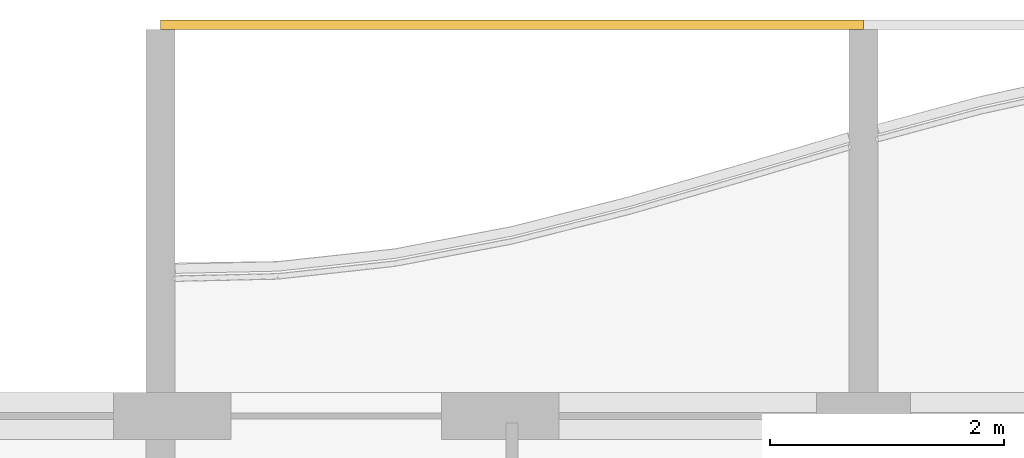
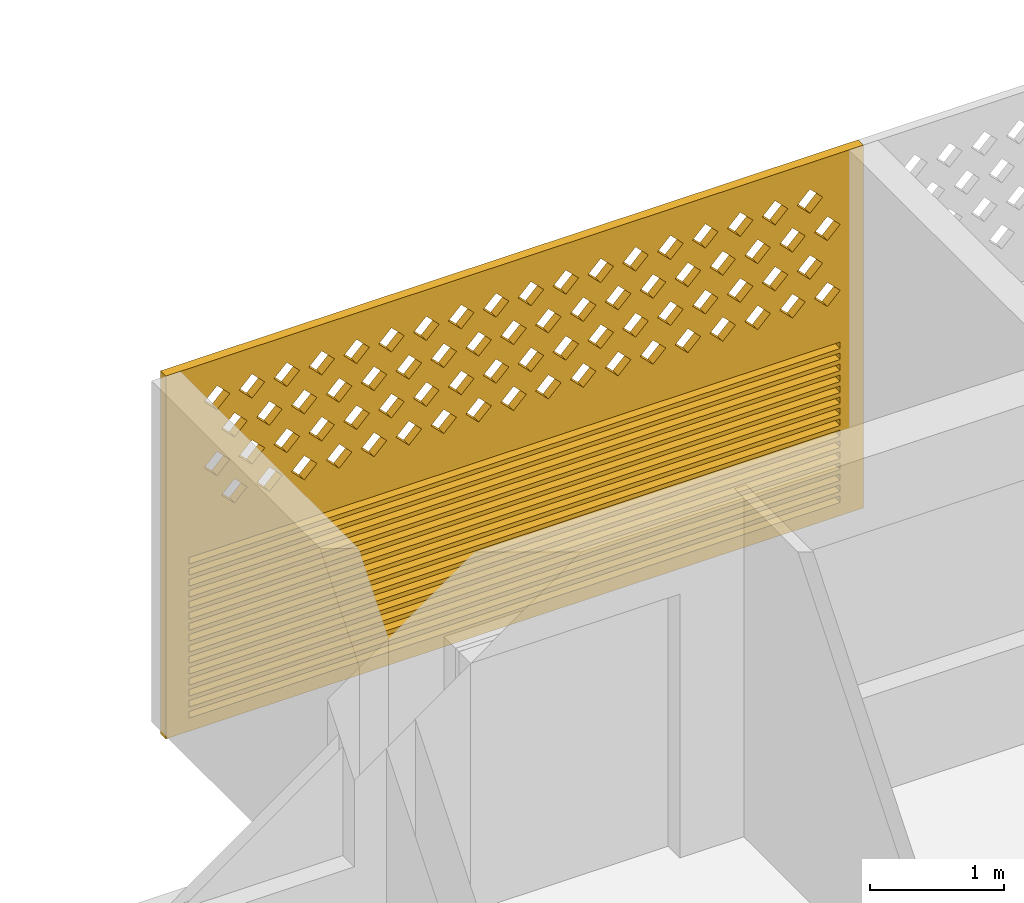
# One storey, part 16 of 26: 1 covering.
"""IFC4 building model written with IfcOpenShell, lengths in metres."""

from ifc_helpers import new_model, si_unit, direction, frame, origin, place, context, subcontext, project, spatial, polyline, outline, extrude, source, transform, mapped, material, material_profile, profile_set, type_object, element, save


model = new_model("IFC4")

# Units and contexts
model_context = context("Model", 3, precision=1e-05, world=origin(), true_north=direction((0.0, 1.0)))
body_context = subcontext(model_context, "Body", "Model", "MODEL_VIEW")
ifc_project = project(units=[si_unit("LENGTHUNIT", "METRE"), si_unit("AREAUNIT", "SQUARE_METRE"), si_unit("VOLUMEUNIT", "CUBIC_METRE"), si_unit("PLANEANGLEUNIT", "RADIAN"), si_unit("MASSUNIT", "GRAM", prefix="KILO")], contexts=[model_context])

# Site, building, storey
site_placement = place(None, origin())
site = spatial("IfcSite", under=ifc_project, at=site_placement, CompositionType="ELEMENT")
building_placement = place(site_placement, origin())
building = spatial("IfcBuilding", under=site, at=building_placement, Name="Poui Terraces", CompositionType="ELEMENT")
storey_placement = place(building_placement, frame((0.0, 0.0, 224.699951171875)))
storey = spatial("IfcBuildingStorey", under=building, at=storey_placement, Name="L62", CompositionType="ELEMENT", Elevation=224.699951171875)

# Covering
ifc_material = material(Name="Terracotta screen", Category="masonry")
ifc_material_profile = material_profile(ifc_material, outline(polyline([(-3.0, -1.64990234375), (3.0, -1.64990234375), (3.0, 1.64990234375), (-3.0, 1.64990234375), (-3.0, -1.64990234375)]), holes=[polyline([(-2.800048828125, 0.39990234375), (-2.68994140625, 0.2900390625), (-2.580078125, 0.39990234375), (-2.68994140625, 0.510009765625), (-2.800048828125, 0.39990234375)]), polyline([(-2.5, 0.39990234375), (-2.389892578125, 0.2900390625), (-2.280029296875, 0.39990234375), (-2.389892578125, 0.510009765625), (-2.5, 0.39990234375)]), polyline([(-2.199951171875, 0.39990234375), (-2.090087890625, 0.2900390625), (-1.97998046875, 0.39990234375), (-2.090087890625, 0.510009765625), (-2.199951171875, 0.39990234375)]), polyline([(-1.89990234375, 0.39990234375), (-1.7900390625, 0.2900390625), (-1.679931640625, 0.39990234375), (-1.7900390625, 0.510009765625), (-1.89990234375, 0.39990234375)]), polyline([(-1.60009765625, 0.39990234375), (-1.489990234375, 0.2900390625), (-1.3798828125, 0.39990234375), (-1.489990234375, 0.510009765625), (-1.60009765625, 0.39990234375)]), polyline([(-1.300048828125, 0.39990234375), (-1.18994140625, 0.2900390625), (-1.080078125, 0.39990234375), (-1.18994140625, 0.510009765625), (-1.300048828125, 0.39990234375)]), polyline([(-1.0, 0.39990234375), (-0.889892578125, 0.2900390625), (-0.780029296875, 0.39990234375), (-0.889892578125, 0.510009765625), (-1.0, 0.39990234375)]), polyline([(-0.699951171875, 0.39990234375), (-0.590087890625, 0.2900390625), (-0.47998046875, 0.39990234375), (-0.590087890625, 0.510009765625), (-0.699951171875, 0.39990234375)]), polyline([(-0.39990234375, 0.39990234375), (-0.2900390625, 0.2900390625), (-0.179931640625, 0.39990234375), (-0.2900390625, 0.510009765625), (-0.39990234375, 0.39990234375)]), polyline([(-0.10009765625, 0.39990234375), (0.010009765625, 0.2900390625), (0.1201171875, 0.39990234375), (0.010009765625, 0.510009765625), (-0.10009765625, 0.39990234375)]), polyline([(0.199951171875, 0.39990234375), (0.31005859375, 0.2900390625), (0.419921875, 0.39990234375), (0.31005859375, 0.510009765625), (0.199951171875, 0.39990234375)]), polyline([(0.5, 0.39990234375), (0.610107421875, 0.2900390625), (0.719970703125, 0.39990234375), (0.610107421875, 0.510009765625), (0.5, 0.39990234375)]), polyline([(0.800048828125, 0.39990234375), (0.909912109375, 0.2900390625), (1.02001953125, 0.39990234375), (0.909912109375, 0.510009765625), (0.800048828125, 0.39990234375)]), polyline([(1.10009765625, 0.39990234375), (1.2099609375, 0.2900390625), (1.320068359375, 0.39990234375), (1.2099609375, 0.510009765625), (1.10009765625, 0.39990234375)]), polyline([(1.39990234375, 0.39990234375), (1.510009765625, 0.2900390625), (1.6201171875, 0.39990234375), (1.510009765625, 0.510009765625), (1.39990234375, 0.39990234375)]), polyline([(1.699951171875, 0.39990234375), (1.81005859375, 0.2900390625), (1.919921875, 0.39990234375), (1.81005859375, 0.510009765625), (1.699951171875, 0.39990234375)]), polyline([(2.0, 0.39990234375), (2.110107421875, 0.2900390625), (2.219970703125, 0.39990234375), (2.110107421875, 0.510009765625), (2.0, 0.39990234375)]), polyline([(2.300048828125, 0.39990234375), (2.409912109375, 0.2900390625), (2.52001953125, 0.39990234375), (2.409912109375, 0.510009765625), (2.300048828125, 0.39990234375)]), polyline([(-2.64990234375, 0.699951171875), (-2.5400390625, 0.590087890625), (-2.429931640625, 0.699951171875), (-2.5400390625, 0.81005859375), (-2.64990234375, 0.699951171875)]), polyline([(-2.35009765625, 0.699951171875), (-2.239990234375, 0.590087890625), (-2.1298828125, 0.699951171875), (-2.239990234375, 0.81005859375), (-2.35009765625, 0.699951171875)]), polyline([(-2.050048828125, 0.699951171875), (-1.93994140625, 0.590087890625), (-1.830078125, 0.699951171875), (-1.93994140625, 0.81005859375), (-2.050048828125, 0.699951171875)]), polyline([(-1.75, 0.699951171875), (-1.639892578125, 0.590087890625), (-1.530029296875, 0.699951171875), (-1.639892578125, 0.81005859375), (-1.75, 0.699951171875)]), polyline([(-1.449951171875, 0.699951171875), (-1.340087890625, 0.590087890625), (-1.22998046875, 0.699951171875), (-1.340087890625, 0.81005859375), (-1.449951171875, 0.699951171875)]), polyline([(-1.14990234375, 0.699951171875), (-1.0400390625, 0.590087890625), (-0.929931640625, 0.699951171875), (-1.0400390625, 0.81005859375), (-1.14990234375, 0.699951171875)]), polyline([(-0.85009765625, 0.699951171875), (-0.739990234375, 0.590087890625), (-0.6298828125, 0.699951171875), (-0.739990234375, 0.81005859375), (-0.85009765625, 0.699951171875)]), polyline([(-0.550048828125, 0.699951171875), (-0.43994140625, 0.590087890625), (-0.330078125, 0.699951171875), (-0.43994140625, 0.81005859375), (-0.550048828125, 0.699951171875)]), polyline([(-0.25, 0.699951171875), (-0.139892578125, 0.590087890625), (-0.030029296875, 0.699951171875), (-0.139892578125, 0.81005859375), (-0.25, 0.699951171875)]), polyline([(0.050048828125, 0.699951171875), (0.159912109375, 0.590087890625), (0.27001953125, 0.699951171875), (0.159912109375, 0.81005859375), (0.050048828125, 0.699951171875)]), polyline([(0.35009765625, 0.699951171875), (0.4599609375, 0.590087890625), (0.570068359375, 0.699951171875), (0.4599609375, 0.81005859375), (0.35009765625, 0.699951171875)]), polyline([(0.64990234375, 0.699951171875), (0.760009765625, 0.590087890625), (0.8701171875, 0.699951171875), (0.760009765625, 0.81005859375), (0.64990234375, 0.699951171875)]), polyline([(0.949951171875, 0.699951171875), (1.06005859375, 0.590087890625), (1.169921875, 0.699951171875), (1.06005859375, 0.81005859375), (0.949951171875, 0.699951171875)]), polyline([(1.25, 0.699951171875), (1.360107421875, 0.590087890625), (1.469970703125, 0.699951171875), (1.360107421875, 0.81005859375), (1.25, 0.699951171875)]), polyline([(1.550048828125, 0.699951171875), (1.659912109375, 0.590087890625), (1.77001953125, 0.699951171875), (1.659912109375, 0.81005859375), (1.550048828125, 0.699951171875)]), polyline([(1.85009765625, 0.699951171875), (1.9599609375, 0.590087890625), (2.070068359375, 0.699951171875), (1.9599609375, 0.81005859375), (1.85009765625, 0.699951171875)]), polyline([(2.14990234375, 0.699951171875), (2.260009765625, 0.590087890625), (2.3701171875, 0.699951171875), (2.260009765625, 0.81005859375), (2.14990234375, 0.699951171875)]), polyline([(2.449951171875, 0.699951171875), (2.56005859375, 0.590087890625), (2.669921875, 0.699951171875), (2.56005859375, 0.81005859375), (2.449951171875, 0.699951171875)]), polyline([(-2.800048828125, 1.0), (-2.68994140625, 0.889892578125), (-2.580078125, 1.0), (-2.68994140625, 1.110107421875), (-2.800048828125, 1.0)]), polyline([(-2.5, 1.0), (-2.389892578125, 0.889892578125), (-2.280029296875, 1.0), (-2.389892578125, 1.110107421875), (-2.5, 1.0)]), polyline([(-2.199951171875, 1.0), (-2.090087890625, 0.889892578125), (-1.97998046875, 1.0), (-2.090087890625, 1.110107421875), (-2.199951171875, 1.0)]), polyline([(-1.89990234375, 1.0), (-1.7900390625, 0.889892578125), (-1.679931640625, 1.0), (-1.7900390625, 1.110107421875), (-1.89990234375, 1.0)]), polyline([(-1.60009765625, 1.0), (-1.489990234375, 0.889892578125), (-1.3798828125, 1.0), (-1.489990234375, 1.110107421875), (-1.60009765625, 1.0)]), polyline([(-1.300048828125, 1.0), (-1.18994140625, 0.889892578125), (-1.080078125, 1.0), (-1.18994140625, 1.110107421875), (-1.300048828125, 1.0)]), polyline([(-1.0, 1.0), (-0.889892578125, 0.889892578125), (-0.780029296875, 1.0), (-0.889892578125, 1.110107421875), (-1.0, 1.0)]), polyline([(-0.699951171875, 1.0), (-0.590087890625, 0.889892578125), (-0.47998046875, 1.0), (-0.590087890625, 1.110107421875), (-0.699951171875, 1.0)]), polyline([(-0.39990234375, 1.0), (-0.2900390625, 0.889892578125), (-0.179931640625, 1.0), (-0.2900390625, 1.110107421875), (-0.39990234375, 1.0)]), polyline([(-0.10009765625, 1.0), (0.010009765625, 0.889892578125), (0.1201171875, 1.0), (0.010009765625, 1.110107421875), (-0.10009765625, 1.0)]), polyline([(0.199951171875, 1.0), (0.31005859375, 0.889892578125), (0.419921875, 1.0), (0.31005859375, 1.110107421875), (0.199951171875, 1.0)]), polyline([(0.5, 1.0), (0.610107421875, 0.889892578125), (0.719970703125, 1.0), (0.610107421875, 1.110107421875), (0.5, 1.0)]), polyline([(0.800048828125, 1.0), (0.909912109375, 0.889892578125), (1.02001953125, 1.0), (0.909912109375, 1.110107421875), (0.800048828125, 1.0)]), polyline([(1.10009765625, 1.0), (1.2099609375, 0.889892578125), (1.320068359375, 1.0), (1.2099609375, 1.110107421875), (1.10009765625, 1.0)]), polyline([(1.39990234375, 1.0), (1.510009765625, 0.889892578125), (1.6201171875, 1.0), (1.510009765625, 1.110107421875), (1.39990234375, 1.0)]), polyline([(1.699951171875, 1.0), (1.81005859375, 0.889892578125), (1.919921875, 1.0), (1.81005859375, 1.110107421875), (1.699951171875, 1.0)]), polyline([(2.0, 1.0), (2.110107421875, 0.889892578125), (2.219970703125, 1.0), (2.110107421875, 1.110107421875), (2.0, 1.0)]), polyline([(2.300048828125, 1.0), (2.409912109375, 0.889892578125), (2.52001953125, 1.0), (2.409912109375, 1.110107421875), (2.300048828125, 1.0)]), polyline([(-2.64990234375, 1.300048828125), (-2.5400390625, 1.18994140625), (-2.429931640625, 1.300048828125), (-2.5400390625, 1.409912109375), (-2.64990234375, 1.300048828125)]), polyline([(-2.35009765625, 1.300048828125), (-2.239990234375, 1.18994140625), (-2.1298828125, 1.300048828125), (-2.239990234375, 1.409912109375), (-2.35009765625, 1.300048828125)]), polyline([(-2.050048828125, 1.300048828125), (-1.93994140625, 1.18994140625), (-1.830078125, 1.300048828125), (-1.93994140625, 1.409912109375), (-2.050048828125, 1.300048828125)]), polyline([(-1.75, 1.300048828125), (-1.639892578125, 1.18994140625), (-1.530029296875, 1.300048828125), (-1.639892578125, 1.409912109375), (-1.75, 1.300048828125)]), polyline([(-1.449951171875, 1.300048828125), (-1.340087890625, 1.18994140625), (-1.22998046875, 1.300048828125), (-1.340087890625, 1.409912109375), (-1.449951171875, 1.300048828125)]), polyline([(-1.14990234375, 1.300048828125), (-1.0400390625, 1.18994140625), (-0.929931640625, 1.300048828125), (-1.0400390625, 1.409912109375), (-1.14990234375, 1.300048828125)]), polyline([(-0.85009765625, 1.300048828125), (-0.739990234375, 1.18994140625), (-0.6298828125, 1.300048828125), (-0.739990234375, 1.409912109375), (-0.85009765625, 1.300048828125)]), polyline([(-0.550048828125, 1.300048828125), (-0.43994140625, 1.18994140625), (-0.330078125, 1.300048828125), (-0.43994140625, 1.409912109375), (-0.550048828125, 1.300048828125)]), polyline([(-0.25, 1.300048828125), (-0.139892578125, 1.18994140625), (-0.030029296875, 1.300048828125), (-0.139892578125, 1.409912109375), (-0.25, 1.300048828125)]), polyline([(0.050048828125, 1.300048828125), (0.159912109375, 1.18994140625), (0.27001953125, 1.300048828125), (0.159912109375, 1.409912109375), (0.050048828125, 1.300048828125)]), polyline([(0.35009765625, 1.300048828125), (0.4599609375, 1.18994140625), (0.570068359375, 1.300048828125), (0.4599609375, 1.409912109375), (0.35009765625, 1.300048828125)]), polyline([(0.64990234375, 1.300048828125), (0.760009765625, 1.18994140625), (0.8701171875, 1.300048828125), (0.760009765625, 1.409912109375), (0.64990234375, 1.300048828125)]), polyline([(0.949951171875, 1.300048828125), (1.06005859375, 1.18994140625), (1.169921875, 1.300048828125), (1.06005859375, 1.409912109375), (0.949951171875, 1.300048828125)]), polyline([(1.25, 1.300048828125), (1.360107421875, 1.18994140625), (1.469970703125, 1.300048828125), (1.360107421875, 1.409912109375), (1.25, 1.300048828125)]), polyline([(1.550048828125, 1.300048828125), (1.659912109375, 1.18994140625), (1.77001953125, 1.300048828125), (1.659912109375, 1.409912109375), (1.550048828125, 1.300048828125)]), polyline([(1.85009765625, 1.300048828125), (1.9599609375, 1.18994140625), (2.070068359375, 1.300048828125), (1.9599609375, 1.409912109375), (1.85009765625, 1.300048828125)]), polyline([(2.14990234375, 1.300048828125), (2.260009765625, 1.18994140625), (2.3701171875, 1.300048828125), (2.260009765625, 1.409912109375), (2.14990234375, 1.300048828125)]), polyline([(2.449951171875, 1.300048828125), (2.56005859375, 1.18994140625), (2.669921875, 1.300048828125), (2.56005859375, 1.409912109375), (2.449951171875, 1.300048828125)]), polyline([(-2.800048828125, -1.530029296875), (2.800048828125, -1.530029296875), (2.800048828125, -1.469970703125), (-2.800048828125, -1.469970703125), (-2.800048828125, -1.530029296875)]), polyline([(-2.800048828125, -1.429931640625), (2.800048828125, -1.429931640625), (2.800048828125, -1.3701171875), (-2.800048828125, -1.3701171875), (-2.800048828125, -1.429931640625)]), polyline([(-2.800048828125, -1.330078125), (2.800048828125, -1.330078125), (2.800048828125, -1.27001953125), (-2.800048828125, -1.27001953125), (-2.800048828125, -1.330078125)]), polyline([(-2.800048828125, -1.22998046875), (2.800048828125, -1.22998046875), (2.800048828125, -1.169921875), (-2.800048828125, -1.169921875), (-2.800048828125, -1.22998046875)]), polyline([(-2.800048828125, -1.1298828125), (2.800048828125, -1.1298828125), (2.800048828125, -1.070068359375), (-2.800048828125, -1.070068359375), (-2.800048828125, -1.1298828125)]), polyline([(-2.800048828125, -1.030029296875), (2.800048828125, -1.030029296875), (2.800048828125, -0.969970703125), (-2.800048828125, -0.969970703125), (-2.800048828125, -1.030029296875)]), polyline([(-2.800048828125, -0.929931640625), (2.800048828125, -0.929931640625), (2.800048828125, -0.8701171875), (-2.800048828125, -0.8701171875), (-2.800048828125, -0.929931640625)]), polyline([(-2.800048828125, -0.830078125), (2.800048828125, -0.830078125), (2.800048828125, -0.77001953125), (-2.800048828125, -0.77001953125), (-2.800048828125, -0.830078125)]), polyline([(-2.800048828125, -0.72998046875), (2.800048828125, -0.72998046875), (2.800048828125, -0.669921875), (-2.800048828125, -0.669921875), (-2.800048828125, -0.72998046875)]), polyline([(-2.800048828125, -0.6298828125), (2.800048828125, -0.6298828125), (2.800048828125, -0.570068359375), (-2.800048828125, -0.570068359375), (-2.800048828125, -0.6298828125)]), polyline([(-2.800048828125, -0.530029296875), (2.800048828125, -0.530029296875), (2.800048828125, -0.469970703125), (-2.800048828125, -0.469970703125), (-2.800048828125, -0.530029296875)]), polyline([(-2.800048828125, -0.429931640625), (2.800048828125, -0.429931640625), (2.800048828125, -0.3701171875), (-2.800048828125, -0.3701171875), (-2.800048828125, -0.429931640625)]), polyline([(-2.800048828125, -0.330078125), (2.800048828125, -0.330078125), (2.800048828125, -0.27001953125), (-2.800048828125, -0.27001953125), (-2.800048828125, -0.330078125)]), polyline([(-2.800048828125, -0.22998046875), (2.800048828125, -0.22998046875), (2.800048828125, -0.169921875), (-2.800048828125, -0.169921875), (-2.800048828125, -0.22998046875)]), polyline([(-2.800048828125, -0.1298828125), (2.800048828125, -0.1298828125), (2.800048828125, -0.070068359375), (-2.800048828125, -0.070068359375), (-2.800048828125, -0.1298828125)])]), Name="TERRACOTTA SCREEN AND JALOUSIE LOUVRE 6000X3300")
ifc_profile_set = profile_set([ifc_material_profile], Name="Terracotta screen")
covering_type = type_object("IfcCoveringType", Name="TERRACOTTA SCREEN AND JALOUSIE LOUVRE 6000X3300", PredefinedType="CLADDING", material=ifc_profile_set)
shared_shape = source(origin(), body_context, "Body", "SweptSolid", [
    extrude(outline(polyline([(-3.0, -1.64990234375), (3.0, -1.64990234375), (3.0, 1.64990234375), (-3.0, 1.64990234375), (-3.0, -1.64990234375)]), holes=[polyline([(-2.800048828125, 0.39990234375), (-2.68994140625, 0.2900390625), (-2.580078125, 0.39990234375), (-2.68994140625, 0.510009765625), (-2.800048828125, 0.39990234375)]), polyline([(-2.5, 0.39990234375), (-2.389892578125, 0.2900390625), (-2.280029296875, 0.39990234375), (-2.389892578125, 0.510009765625), (-2.5, 0.39990234375)]), polyline([(-2.199951171875, 0.39990234375), (-2.090087890625, 0.2900390625), (-1.97998046875, 0.39990234375), (-2.090087890625, 0.510009765625), (-2.199951171875, 0.39990234375)]), polyline([(-1.89990234375, 0.39990234375), (-1.7900390625, 0.2900390625), (-1.679931640625, 0.39990234375), (-1.7900390625, 0.510009765625), (-1.89990234375, 0.39990234375)]), polyline([(-1.60009765625, 0.39990234375), (-1.489990234375, 0.2900390625), (-1.3798828125, 0.39990234375), (-1.489990234375, 0.510009765625), (-1.60009765625, 0.39990234375)]), polyline([(-1.300048828125, 0.39990234375), (-1.18994140625, 0.2900390625), (-1.080078125, 0.39990234375), (-1.18994140625, 0.510009765625), (-1.300048828125, 0.39990234375)]), polyline([(-1.0, 0.39990234375), (-0.889892578125, 0.2900390625), (-0.780029296875, 0.39990234375), (-0.889892578125, 0.510009765625), (-1.0, 0.39990234375)]), polyline([(-0.699951171875, 0.39990234375), (-0.590087890625, 0.2900390625), (-0.47998046875, 0.39990234375), (-0.590087890625, 0.510009765625), (-0.699951171875, 0.39990234375)]), polyline([(-0.39990234375, 0.39990234375), (-0.2900390625, 0.2900390625), (-0.179931640625, 0.39990234375), (-0.2900390625, 0.510009765625), (-0.39990234375, 0.39990234375)]), polyline([(-0.10009765625, 0.39990234375), (0.010009765625, 0.2900390625), (0.1201171875, 0.39990234375), (0.010009765625, 0.510009765625), (-0.10009765625, 0.39990234375)]), polyline([(0.199951171875, 0.39990234375), (0.31005859375, 0.2900390625), (0.419921875, 0.39990234375), (0.31005859375, 0.510009765625), (0.199951171875, 0.39990234375)]), polyline([(0.5, 0.39990234375), (0.610107421875, 0.2900390625), (0.719970703125, 0.39990234375), (0.610107421875, 0.510009765625), (0.5, 0.39990234375)]), polyline([(0.800048828125, 0.39990234375), (0.909912109375, 0.2900390625), (1.02001953125, 0.39990234375), (0.909912109375, 0.510009765625), (0.800048828125, 0.39990234375)]), polyline([(1.10009765625, 0.39990234375), (1.2099609375, 0.2900390625), (1.320068359375, 0.39990234375), (1.2099609375, 0.510009765625), (1.10009765625, 0.39990234375)]), polyline([(1.39990234375, 0.39990234375), (1.510009765625, 0.2900390625), (1.6201171875, 0.39990234375), (1.510009765625, 0.510009765625), (1.39990234375, 0.39990234375)]), polyline([(1.699951171875, 0.39990234375), (1.81005859375, 0.2900390625), (1.919921875, 0.39990234375), (1.81005859375, 0.510009765625), (1.699951171875, 0.39990234375)]), polyline([(2.0, 0.39990234375), (2.110107421875, 0.2900390625), (2.219970703125, 0.39990234375), (2.110107421875, 0.510009765625), (2.0, 0.39990234375)]), polyline([(2.300048828125, 0.39990234375), (2.409912109375, 0.2900390625), (2.52001953125, 0.39990234375), (2.409912109375, 0.510009765625), (2.300048828125, 0.39990234375)]), polyline([(-2.64990234375, 0.699951171875), (-2.5400390625, 0.590087890625), (-2.429931640625, 0.699951171875), (-2.5400390625, 0.81005859375), (-2.64990234375, 0.699951171875)]), polyline([(-2.35009765625, 0.699951171875), (-2.239990234375, 0.590087890625), (-2.1298828125, 0.699951171875), (-2.239990234375, 0.81005859375), (-2.35009765625, 0.699951171875)]), polyline([(-2.050048828125, 0.699951171875), (-1.93994140625, 0.590087890625), (-1.830078125, 0.699951171875), (-1.93994140625, 0.81005859375), (-2.050048828125, 0.699951171875)]), polyline([(-1.75, 0.699951171875), (-1.639892578125, 0.590087890625), (-1.530029296875, 0.699951171875), (-1.639892578125, 0.81005859375), (-1.75, 0.699951171875)]), polyline([(-1.449951171875, 0.699951171875), (-1.340087890625, 0.590087890625), (-1.22998046875, 0.699951171875), (-1.340087890625, 0.81005859375), (-1.449951171875, 0.699951171875)]), polyline([(-1.14990234375, 0.699951171875), (-1.0400390625, 0.590087890625), (-0.929931640625, 0.699951171875), (-1.0400390625, 0.81005859375), (-1.14990234375, 0.699951171875)]), polyline([(-0.85009765625, 0.699951171875), (-0.739990234375, 0.590087890625), (-0.6298828125, 0.699951171875), (-0.739990234375, 0.81005859375), (-0.85009765625, 0.699951171875)]), polyline([(-0.550048828125, 0.699951171875), (-0.43994140625, 0.590087890625), (-0.330078125, 0.699951171875), (-0.43994140625, 0.81005859375), (-0.550048828125, 0.699951171875)]), polyline([(-0.25, 0.699951171875), (-0.139892578125, 0.590087890625), (-0.030029296875, 0.699951171875), (-0.139892578125, 0.81005859375), (-0.25, 0.699951171875)]), polyline([(0.050048828125, 0.699951171875), (0.159912109375, 0.590087890625), (0.27001953125, 0.699951171875), (0.159912109375, 0.81005859375), (0.050048828125, 0.699951171875)]), polyline([(0.35009765625, 0.699951171875), (0.4599609375, 0.590087890625), (0.570068359375, 0.699951171875), (0.4599609375, 0.81005859375), (0.35009765625, 0.699951171875)]), polyline([(0.64990234375, 0.699951171875), (0.760009765625, 0.590087890625), (0.8701171875, 0.699951171875), (0.760009765625, 0.81005859375), (0.64990234375, 0.699951171875)]), polyline([(0.949951171875, 0.699951171875), (1.06005859375, 0.590087890625), (1.169921875, 0.699951171875), (1.06005859375, 0.81005859375), (0.949951171875, 0.699951171875)]), polyline([(1.25, 0.699951171875), (1.360107421875, 0.590087890625), (1.469970703125, 0.699951171875), (1.360107421875, 0.81005859375), (1.25, 0.699951171875)]), polyline([(1.550048828125, 0.699951171875), (1.659912109375, 0.590087890625), (1.77001953125, 0.699951171875), (1.659912109375, 0.81005859375), (1.550048828125, 0.699951171875)]), polyline([(1.85009765625, 0.699951171875), (1.9599609375, 0.590087890625), (2.070068359375, 0.699951171875), (1.9599609375, 0.81005859375), (1.85009765625, 0.699951171875)]), polyline([(2.14990234375, 0.699951171875), (2.260009765625, 0.590087890625), (2.3701171875, 0.699951171875), (2.260009765625, 0.81005859375), (2.14990234375, 0.699951171875)]), polyline([(2.449951171875, 0.699951171875), (2.56005859375, 0.590087890625), (2.669921875, 0.699951171875), (2.56005859375, 0.81005859375), (2.449951171875, 0.699951171875)]), polyline([(-2.800048828125, 1.0), (-2.68994140625, 0.889892578125), (-2.580078125, 1.0), (-2.68994140625, 1.110107421875), (-2.800048828125, 1.0)]), polyline([(-2.5, 1.0), (-2.389892578125, 0.889892578125), (-2.280029296875, 1.0), (-2.389892578125, 1.110107421875), (-2.5, 1.0)]), polyline([(-2.199951171875, 1.0), (-2.090087890625, 0.889892578125), (-1.97998046875, 1.0), (-2.090087890625, 1.110107421875), (-2.199951171875, 1.0)]), polyline([(-1.89990234375, 1.0), (-1.7900390625, 0.889892578125), (-1.679931640625, 1.0), (-1.7900390625, 1.110107421875), (-1.89990234375, 1.0)]), polyline([(-1.60009765625, 1.0), (-1.489990234375, 0.889892578125), (-1.3798828125, 1.0), (-1.489990234375, 1.110107421875), (-1.60009765625, 1.0)]), polyline([(-1.300048828125, 1.0), (-1.18994140625, 0.889892578125), (-1.080078125, 1.0), (-1.18994140625, 1.110107421875), (-1.300048828125, 1.0)]), polyline([(-1.0, 1.0), (-0.889892578125, 0.889892578125), (-0.780029296875, 1.0), (-0.889892578125, 1.110107421875), (-1.0, 1.0)]), polyline([(-0.699951171875, 1.0), (-0.590087890625, 0.889892578125), (-0.47998046875, 1.0), (-0.590087890625, 1.110107421875), (-0.699951171875, 1.0)]), polyline([(-0.39990234375, 1.0), (-0.2900390625, 0.889892578125), (-0.179931640625, 1.0), (-0.2900390625, 1.110107421875), (-0.39990234375, 1.0)]), polyline([(-0.10009765625, 1.0), (0.010009765625, 0.889892578125), (0.1201171875, 1.0), (0.010009765625, 1.110107421875), (-0.10009765625, 1.0)]), polyline([(0.199951171875, 1.0), (0.31005859375, 0.889892578125), (0.419921875, 1.0), (0.31005859375, 1.110107421875), (0.199951171875, 1.0)]), polyline([(0.5, 1.0), (0.610107421875, 0.889892578125), (0.719970703125, 1.0), (0.610107421875, 1.110107421875), (0.5, 1.0)]), polyline([(0.800048828125, 1.0), (0.909912109375, 0.889892578125), (1.02001953125, 1.0), (0.909912109375, 1.110107421875), (0.800048828125, 1.0)]), polyline([(1.10009765625, 1.0), (1.2099609375, 0.889892578125), (1.320068359375, 1.0), (1.2099609375, 1.110107421875), (1.10009765625, 1.0)]), polyline([(1.39990234375, 1.0), (1.510009765625, 0.889892578125), (1.6201171875, 1.0), (1.510009765625, 1.110107421875), (1.39990234375, 1.0)]), polyline([(1.699951171875, 1.0), (1.81005859375, 0.889892578125), (1.919921875, 1.0), (1.81005859375, 1.110107421875), (1.699951171875, 1.0)]), polyline([(2.0, 1.0), (2.110107421875, 0.889892578125), (2.219970703125, 1.0), (2.110107421875, 1.110107421875), (2.0, 1.0)]), polyline([(2.300048828125, 1.0), (2.409912109375, 0.889892578125), (2.52001953125, 1.0), (2.409912109375, 1.110107421875), (2.300048828125, 1.0)]), polyline([(-2.64990234375, 1.300048828125), (-2.5400390625, 1.18994140625), (-2.429931640625, 1.300048828125), (-2.5400390625, 1.409912109375), (-2.64990234375, 1.300048828125)]), polyline([(-2.35009765625, 1.300048828125), (-2.239990234375, 1.18994140625), (-2.1298828125, 1.300048828125), (-2.239990234375, 1.409912109375), (-2.35009765625, 1.300048828125)]), polyline([(-2.050048828125, 1.300048828125), (-1.93994140625, 1.18994140625), (-1.830078125, 1.300048828125), (-1.93994140625, 1.409912109375), (-2.050048828125, 1.300048828125)]), polyline([(-1.75, 1.300048828125), (-1.639892578125, 1.18994140625), (-1.530029296875, 1.300048828125), (-1.639892578125, 1.409912109375), (-1.75, 1.300048828125)]), polyline([(-1.449951171875, 1.300048828125), (-1.340087890625, 1.18994140625), (-1.22998046875, 1.300048828125), (-1.340087890625, 1.409912109375), (-1.449951171875, 1.300048828125)]), polyline([(-1.14990234375, 1.300048828125), (-1.0400390625, 1.18994140625), (-0.929931640625, 1.300048828125), (-1.0400390625, 1.409912109375), (-1.14990234375, 1.300048828125)]), polyline([(-0.85009765625, 1.300048828125), (-0.739990234375, 1.18994140625), (-0.6298828125, 1.300048828125), (-0.739990234375, 1.409912109375), (-0.85009765625, 1.300048828125)]), polyline([(-0.550048828125, 1.300048828125), (-0.43994140625, 1.18994140625), (-0.330078125, 1.300048828125), (-0.43994140625, 1.409912109375), (-0.550048828125, 1.300048828125)]), polyline([(-0.25, 1.300048828125), (-0.139892578125, 1.18994140625), (-0.030029296875, 1.300048828125), (-0.139892578125, 1.409912109375), (-0.25, 1.300048828125)]), polyline([(0.050048828125, 1.300048828125), (0.159912109375, 1.18994140625), (0.27001953125, 1.300048828125), (0.159912109375, 1.409912109375), (0.050048828125, 1.300048828125)]), polyline([(0.35009765625, 1.300048828125), (0.4599609375, 1.18994140625), (0.570068359375, 1.300048828125), (0.4599609375, 1.409912109375), (0.35009765625, 1.300048828125)]), polyline([(0.64990234375, 1.300048828125), (0.760009765625, 1.18994140625), (0.8701171875, 1.300048828125), (0.760009765625, 1.409912109375), (0.64990234375, 1.300048828125)]), polyline([(0.949951171875, 1.300048828125), (1.06005859375, 1.18994140625), (1.169921875, 1.300048828125), (1.06005859375, 1.409912109375), (0.949951171875, 1.300048828125)]), polyline([(1.25, 1.300048828125), (1.360107421875, 1.18994140625), (1.469970703125, 1.300048828125), (1.360107421875, 1.409912109375), (1.25, 1.300048828125)]), polyline([(1.550048828125, 1.300048828125), (1.659912109375, 1.18994140625), (1.77001953125, 1.300048828125), (1.659912109375, 1.409912109375), (1.550048828125, 1.300048828125)]), polyline([(1.85009765625, 1.300048828125), (1.9599609375, 1.18994140625), (2.070068359375, 1.300048828125), (1.9599609375, 1.409912109375), (1.85009765625, 1.300048828125)]), polyline([(2.14990234375, 1.300048828125), (2.260009765625, 1.18994140625), (2.3701171875, 1.300048828125), (2.260009765625, 1.409912109375), (2.14990234375, 1.300048828125)]), polyline([(2.449951171875, 1.300048828125), (2.56005859375, 1.18994140625), (2.669921875, 1.300048828125), (2.56005859375, 1.409912109375), (2.449951171875, 1.300048828125)]), polyline([(-2.800048828125, -1.530029296875), (2.800048828125, -1.530029296875), (2.800048828125, -1.469970703125), (-2.800048828125, -1.469970703125), (-2.800048828125, -1.530029296875)]), polyline([(-2.800048828125, -1.429931640625), (2.800048828125, -1.429931640625), (2.800048828125, -1.3701171875), (-2.800048828125, -1.3701171875), (-2.800048828125, -1.429931640625)]), polyline([(-2.800048828125, -1.330078125), (2.800048828125, -1.330078125), (2.800048828125, -1.27001953125), (-2.800048828125, -1.27001953125), (-2.800048828125, -1.330078125)]), polyline([(-2.800048828125, -1.22998046875), (2.800048828125, -1.22998046875), (2.800048828125, -1.169921875), (-2.800048828125, -1.169921875), (-2.800048828125, -1.22998046875)]), polyline([(-2.800048828125, -1.1298828125), (2.800048828125, -1.1298828125), (2.800048828125, -1.070068359375), (-2.800048828125, -1.070068359375), (-2.800048828125, -1.1298828125)]), polyline([(-2.800048828125, -1.030029296875), (2.800048828125, -1.030029296875), (2.800048828125, -0.969970703125), (-2.800048828125, -0.969970703125), (-2.800048828125, -1.030029296875)]), polyline([(-2.800048828125, -0.929931640625), (2.800048828125, -0.929931640625), (2.800048828125, -0.8701171875), (-2.800048828125, -0.8701171875), (-2.800048828125, -0.929931640625)]), polyline([(-2.800048828125, -0.830078125), (2.800048828125, -0.830078125), (2.800048828125, -0.77001953125), (-2.800048828125, -0.77001953125), (-2.800048828125, -0.830078125)]), polyline([(-2.800048828125, -0.72998046875), (2.800048828125, -0.72998046875), (2.800048828125, -0.669921875), (-2.800048828125, -0.669921875), (-2.800048828125, -0.72998046875)]), polyline([(-2.800048828125, -0.6298828125), (2.800048828125, -0.6298828125), (2.800048828125, -0.570068359375), (-2.800048828125, -0.570068359375), (-2.800048828125, -0.6298828125)]), polyline([(-2.800048828125, -0.530029296875), (2.800048828125, -0.530029296875), (2.800048828125, -0.469970703125), (-2.800048828125, -0.469970703125), (-2.800048828125, -0.530029296875)]), polyline([(-2.800048828125, -0.429931640625), (2.800048828125, -0.429931640625), (2.800048828125, -0.3701171875), (-2.800048828125, -0.3701171875), (-2.800048828125, -0.429931640625)]), polyline([(-2.800048828125, -0.330078125), (2.800048828125, -0.330078125), (2.800048828125, -0.27001953125), (-2.800048828125, -0.27001953125), (-2.800048828125, -0.330078125)]), polyline([(-2.800048828125, -0.22998046875), (2.800048828125, -0.22998046875), (2.800048828125, -0.169921875), (-2.800048828125, -0.169921875), (-2.800048828125, -0.22998046875)]), polyline([(-2.800048828125, -0.1298828125), (2.800048828125, -0.1298828125), (2.800048828125, -0.070068359375), (-2.800048828125, -0.070068359375), (-2.800048828125, -0.1298828125)])]), origin(), (0.0, 0.0, 1.0), 0.080078125),
])
covering_placement = place(storey_placement, frame((33.0, 44.5, 1.449951171875), z_axis=(0.0, 1.0, 0.0), x_axis=(-1.0, 0.0, 0.0)))
element("IfcCovering", 1, at=covering_placement, inside=storey, type_object=covering_type, Name="SOLAR SCREEN AND JALOUSIE LOUVRE", PredefinedType="CLADDING", context=body_context, shape_type="MappedRepresentation", body=[
    mapped(shared_shape, transform((0.0, 0.0, 0.0))),
])

save(model, "model.ifc")
